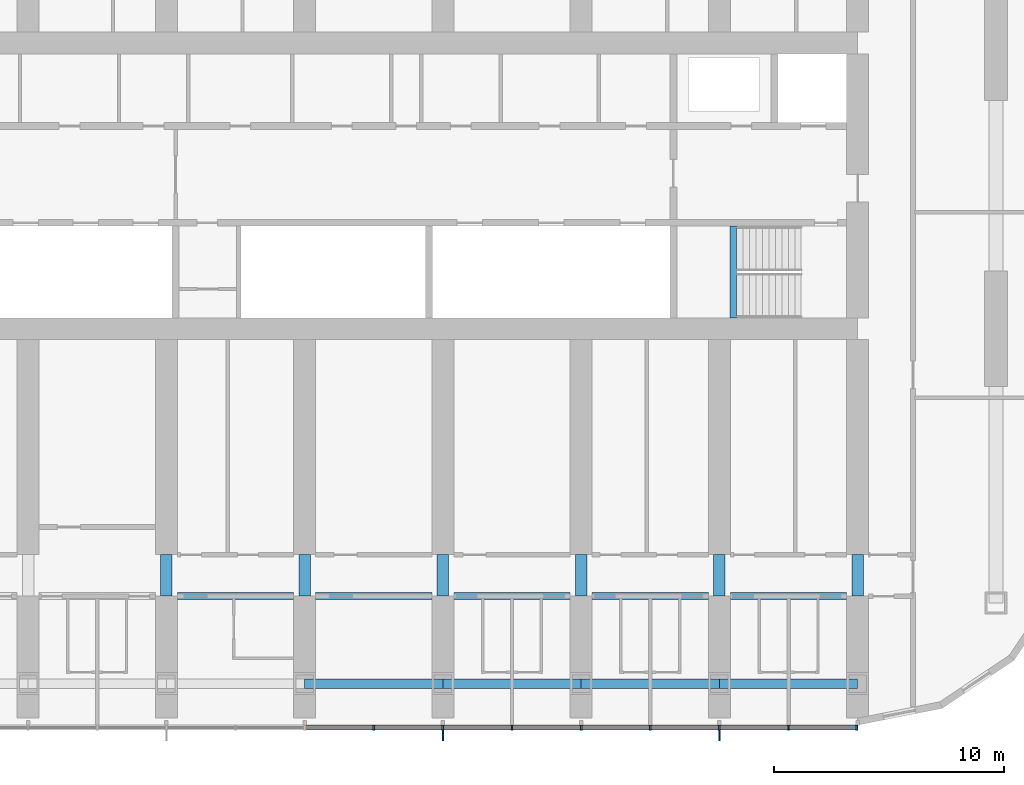
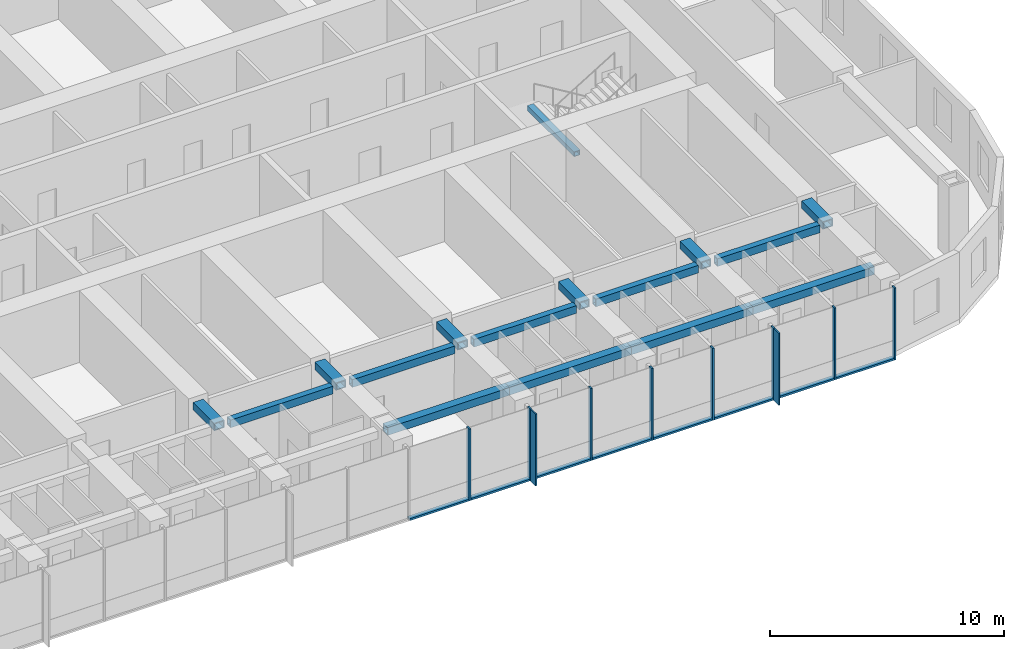
# One storey, part 3 of 22: 18 members, 16 beams, 1 element without a shape of its own.
"""IFC4 building model written with IfcOpenShell, lengths in metres."""

from ifc_helpers import new_model, si_unit, direction, frame, origin, origin_2d, place, context, subcontext, project, spatial, rectangle, hollow_rectangle, extrude, material, material_profile, profile_set, type_object, element, aggregate, save


model = new_model("IFC4")

# Units and contexts
model_context = context("Model", 3, precision=1e-05, world=origin(), true_north=direction((0.0, 1.0)))
body_context = subcontext(model_context, "Body", "Model", "MODEL_VIEW")
ifc_project = project(units=[si_unit("LENGTHUNIT", "METRE"), si_unit("AREAUNIT", "SQUARE_METRE"), si_unit("VOLUMEUNIT", "CUBIC_METRE"), si_unit("PLANEANGLEUNIT", "RADIAN"), si_unit("MASSUNIT", "GRAM", prefix="KILO")], contexts=[model_context])

# Site, building, storey
site_placement = place(None, origin())
site = spatial("IfcSite", under=ifc_project, at=site_placement, CompositionType="ELEMENT")
building_placement = place(site_placement, origin())
building = spatial("IfcBuilding", under=site, at=building_placement, Name="Orbita Commons", CompositionType="ELEMENT")
storey_placement = place(building_placement, frame((0.0, 0.0, 118.14990234375)))
storey = spatial("IfcBuildingStorey", under=building, at=storey_placement, Name="L29", CompositionType="ELEMENT", Elevation=118.14990234375)

# Curtain wall, members
ifc_material_1 = material(Name="Anodised aluminium frame, pale silver", Category="aluminium")
curtain_wall_type = type_object("IfcCurtainWallType", Name="Unitised curtain wall CW-T, vision and spandrel", PredefinedType="NOTDEFINED", material=ifc_material_1)
curtain_wall_placement = place(storey_placement, origin())
curtain_wall = element("IfcCurtainWall", 1, at=curtain_wall_placement, inside=storey, type_object=curtain_wall_type, Name="Curtain wall south L29", PredefinedType="NOTDEFINED")
ifc_material_2 = material(Name="Anodised aluminium, pale silver", Category="aluminium")
ifc_material_profile_1 = material_profile(ifc_material_2, rectangle(XDim=0.080078125, YDim=0.219970703125, at=origin_2d()), Name="AL 80x220")
ifc_profile_set_1 = profile_set([ifc_material_profile_1], Name="Anodised aluminium, pale silver")
member_type_1 = type_object("IfcMemberType", Name="Curtain wall mullion 80x220", PredefinedType="MULLION", material=ifc_profile_set_1)
member_1_placement = place(storey_placement, frame((45.0, 8.489990234375, -0.25), z_axis=(0.0, 0.0, 1.0), x_axis=(1.0, 0.0, 0.0)))
member_1 = element("IfcMember", 2, at=member_1_placement, type_object=member_type_1, Name="Mullion 12 CW-L29-S", PredefinedType="MULLION", context=body_context, shape_type="SweptSolid", body=[
    extrude(rectangle(XDim=0.080078125, YDim=0.219970703125, at=origin_2d()), origin(), (0.0, 0.0, 1.0), 3.75),
])
member_2_placement = place(storey_placement, frame((48.0, 8.489990234375, -0.25), z_axis=(0.0, 0.0, 1.0), x_axis=(1.0, 0.0, 0.0)))
member_2 = element("IfcMember", 3, at=member_2_placement, type_object=member_type_1, Name="Mullion 13 CW-L29-S", PredefinedType="MULLION", context=body_context, shape_type="SweptSolid", body=[
    extrude(rectangle(XDim=0.080078125, YDim=0.219970703125, at=origin_2d()), origin(), (0.0, 0.0, 1.0), 3.75),
])
member_3_placement = place(storey_placement, frame((51.0, 8.489990234375, -0.25), z_axis=(0.0, 0.0, 1.0), x_axis=(1.0, 0.0, 0.0)))
member_3 = element("IfcMember", 4, at=member_3_placement, type_object=member_type_1, Name="Mullion 14 CW-L29-S", PredefinedType="MULLION", context=body_context, shape_type="SweptSolid", body=[
    extrude(rectangle(XDim=0.080078125, YDim=0.219970703125, at=origin_2d()), origin(), (0.0, 0.0, 1.0), 3.75),
])
member_4_placement = place(storey_placement, frame((54.0, 8.489990234375, -0.25), z_axis=(0.0, 0.0, 1.0), x_axis=(1.0, 0.0, 0.0)))
member_4 = element("IfcMember", 5, at=member_4_placement, type_object=member_type_1, Name="Mullion 15 CW-L29-S", PredefinedType="MULLION", context=body_context, shape_type="SweptSolid", body=[
    extrude(rectangle(XDim=0.080078125, YDim=0.219970703125, at=origin_2d()), origin(), (0.0, 0.0, 1.0), 3.75),
])
member_5_placement = place(storey_placement, frame((57.0, 8.489990234375, -0.25), z_axis=(0.0, 0.0, 1.0), x_axis=(1.0, 0.0, 0.0)))
member_5 = element("IfcMember", 6, at=member_5_placement, type_object=member_type_1, Name="Mullion 16 CW-L29-S", PredefinedType="MULLION", context=body_context, shape_type="SweptSolid", body=[
    extrude(rectangle(XDim=0.080078125, YDim=0.219970703125, at=origin_2d()), origin(), (0.0, 0.0, 1.0), 3.75),
])
member_6_placement = place(storey_placement, frame((60.0, 8.489990234375, -0.25), z_axis=(0.0, 0.0, 1.0), x_axis=(1.0, 0.0, 0.0)))
member_6 = element("IfcMember", 7, at=member_6_placement, type_object=member_type_1, Name="Mullion 17 CW-L29-S", PredefinedType="MULLION", context=body_context, shape_type="SweptSolid", body=[
    extrude(rectangle(XDim=0.080078125, YDim=0.219970703125, at=origin_2d()), origin(), (0.0, 0.0, 1.0), 3.75),
])
member_7_placement = place(storey_placement, frame((63.0, 8.489990234375, -0.25), z_axis=(0.0, 0.0, 1.0), x_axis=(1.0, 0.0, 0.0)))
member_7 = element("IfcMember", 8, at=member_7_placement, type_object=member_type_1, Name="Mullion 18 CW-L29-S", PredefinedType="MULLION", context=body_context, shape_type="SweptSolid", body=[
    extrude(rectangle(XDim=0.080078125, YDim=0.219970703125, at=origin_2d()), origin(), (0.0, 0.0, 1.0), 3.75),
])
member_8_placement = place(storey_placement, frame((65.9599609375, 8.489990234375, -0.25), z_axis=(0.0, 0.0, 1.0), x_axis=(1.0, 0.0, 0.0)))
member_8 = element("IfcMember", 9, at=member_8_placement, type_object=member_type_1, Name="Mullion 19 CW-L29-S", PredefinedType="MULLION", context=body_context, shape_type="SweptSolid", body=[
    extrude(rectangle(XDim=0.080078125, YDim=0.219970703125, at=origin_2d()), origin(), (0.0, 0.0, 1.0), 3.75),
])
ifc_material_3 = material(Name="Anodised aluminium, pale silver", Category="aluminium")
ifc_material_profile_2 = material_profile(ifc_material_3, rectangle(XDim=0.219970703125, YDim=0.10009765625, at=origin_2d()), Name="AL 220x100")
ifc_profile_set_2 = profile_set([ifc_material_profile_2], Name="Anodised aluminium, pale silver")
member_type_2 = type_object("IfcMemberType", Name="Curtain wall stack transom 220x100", PredefinedType="USERDEFINED", material=ifc_profile_set_2)
member_9_placement = place(storey_placement, frame((42.0400390625, 8.489990234375, -0.199951171875), z_axis=(1.0, 0.0, 0.0), x_axis=(0.0, 1.0, 0.0)))
member_9 = element("IfcMember", 10, at=member_9_placement, type_object=member_type_2, Name="Transom 11.1 CW-L29-S", ObjectType="TRANSOM", PredefinedType="USERDEFINED", context=body_context, shape_type="SweptSolid", body=[
    extrude(rectangle(XDim=0.219970703125, YDim=0.10009765625, at=origin_2d()), origin(), (0.0, 0.0, 1.0), 2.919921875),
])
member_10_placement = place(storey_placement, frame((45.0400390625, 8.489990234375, -0.199951171875), z_axis=(1.0, 0.0, 0.0), x_axis=(0.0, 1.0, 0.0)))
member_10 = element("IfcMember", 11, at=member_10_placement, type_object=member_type_2, Name="Transom 12.1 CW-L29-S", ObjectType="TRANSOM", PredefinedType="USERDEFINED", context=body_context, shape_type="SweptSolid", body=[
    extrude(rectangle(XDim=0.219970703125, YDim=0.10009765625, at=origin_2d()), origin(), (0.0, 0.0, 1.0), 2.919921875),
])
member_11_placement = place(storey_placement, frame((48.0400390625, 8.489990234375, -0.199951171875), z_axis=(1.0, 0.0, 0.0), x_axis=(0.0, 1.0, 0.0)))
member_11 = element("IfcMember", 12, at=member_11_placement, type_object=member_type_2, Name="Transom 13.1 CW-L29-S", ObjectType="TRANSOM", PredefinedType="USERDEFINED", context=body_context, shape_type="SweptSolid", body=[
    extrude(rectangle(XDim=0.219970703125, YDim=0.10009765625, at=origin_2d()), origin(), (0.0, 0.0, 1.0), 2.919921875),
])
member_12_placement = place(storey_placement, frame((51.0400390625, 8.489990234375, -0.199951171875), z_axis=(1.0, 0.0, 0.0), x_axis=(0.0, 1.0, 0.0)))
member_12 = element("IfcMember", 13, at=member_12_placement, type_object=member_type_2, Name="Transom 14.1 CW-L29-S", ObjectType="TRANSOM", PredefinedType="USERDEFINED", context=body_context, shape_type="SweptSolid", body=[
    extrude(rectangle(XDim=0.219970703125, YDim=0.10009765625, at=origin_2d()), origin(), (0.0, 0.0, 1.0), 2.919921875),
])
member_13_placement = place(storey_placement, frame((54.0400390625, 8.489990234375, -0.199951171875), z_axis=(1.0, 0.0, 0.0), x_axis=(0.0, 1.0, 0.0)))
member_13 = element("IfcMember", 14, at=member_13_placement, type_object=member_type_2, Name="Transom 15.1 CW-L29-S", ObjectType="TRANSOM", PredefinedType="USERDEFINED", context=body_context, shape_type="SweptSolid", body=[
    extrude(rectangle(XDim=0.219970703125, YDim=0.10009765625, at=origin_2d()), origin(), (0.0, 0.0, 1.0), 2.919921875),
])
member_14_placement = place(storey_placement, frame((57.0400390625, 8.489990234375, -0.199951171875), z_axis=(1.0, 0.0, 0.0), x_axis=(0.0, 1.0, 0.0)))
member_14 = element("IfcMember", 15, at=member_14_placement, type_object=member_type_2, Name="Transom 16.1 CW-L29-S", ObjectType="TRANSOM", PredefinedType="USERDEFINED", context=body_context, shape_type="SweptSolid", body=[
    extrude(rectangle(XDim=0.219970703125, YDim=0.10009765625, at=origin_2d()), origin(), (0.0, 0.0, 1.0), 2.919921875),
])
member_15_placement = place(storey_placement, frame((60.0400390625, 8.489990234375, -0.199951171875), z_axis=(1.0, 0.0, 0.0), x_axis=(0.0, 1.0, 0.0)))
member_15 = element("IfcMember", 16, at=member_15_placement, type_object=member_type_2, Name="Transom 17.1 CW-L29-S", ObjectType="TRANSOM", PredefinedType="USERDEFINED", context=body_context, shape_type="SweptSolid", body=[
    extrude(rectangle(XDim=0.219970703125, YDim=0.10009765625, at=origin_2d()), origin(), (0.0, 0.0, 1.0), 2.919921875),
])
member_16_placement = place(storey_placement, frame((63.0400390625, 8.489990234375, -0.199951171875), z_axis=(1.0, 0.0, 0.0), x_axis=(0.0, 1.0, 0.0)))
member_16 = element("IfcMember", 17, at=member_16_placement, type_object=member_type_2, Name="Transom 18.1 CW-L29-S", ObjectType="TRANSOM", PredefinedType="USERDEFINED", context=body_context, shape_type="SweptSolid", body=[
    extrude(rectangle(XDim=0.219970703125, YDim=0.10009765625, at=origin_2d()), origin(), (0.0, 0.0, 1.0), 2.8798828125),
])

# Beams
ifc_material_4 = material(Name="Steel ASTM A572 Gr 50 welded plate", Category="steel")
ifc_material_profile_3 = material_profile(ifc_material_4, hollow_rectangle(XDim=0.300048828125, YDim=0.25, WallThickness=0.02490234375, at=origin_2d()), Name="BOX 250x300x25")
ifc_profile_set_3 = profile_set([ifc_material_profile_3], Name="Steel ASTM A572 Gr 50 welded plate")
beam_type_1 = type_object("IfcBeamType", Name="Stair landing beam steel BOX 250x300x25", PredefinedType="BEAM", material=ifc_profile_set_3)
beam_placement = place(storey_placement, frame((60.60009765625, 26.260009765625, 1.550048828125), z_axis=(0.0, 1.0, 0.0), x_axis=(-1.0, 0.0, 0.0)))
element("IfcBeam", 18, at=beam_placement, inside=storey, type_object=beam_type_1, Name="Stair S2 landing beam L29 1", PredefinedType="BEAM", context=body_context, shape_type="SweptSolid", body=[
    extrude(hollow_rectangle(XDim=0.300048828125, YDim=0.25, WallThickness=0.02490234375, at=origin_2d()), origin(), (0.0, 0.0, 1.0), 4.0048828125),
])
ifc_material_5 = material(Name="Steel ASTM A572 Gr 50 welded plate", Category="steel")
ifc_material_profile_4 = material_profile(ifc_material_5, hollow_rectangle(XDim=0.300048828125, YDim=0.39990234375, WallThickness=0.0400390625, at=origin_2d()), Name="BOX 400x300x40")
ifc_profile_set_4 = profile_set([ifc_material_profile_4], Name="Steel ASTM A572 Gr 50 welded plate")
beam_type_2 = type_object("IfcBeamType", Name="Steel corridor link BOX 400x300x40", PredefinedType="BEAM", material=ifc_profile_set_4)
for number, where, z_axis, x_axis, name in (
    (19, (36.47509765625, 14.199951171875, 3.300048828125), (1.0, 0.0, 0.0), (0.0, 1.0, 0.0), "Corridor beam SA 7-8 L29"),
    (20, (42.47509765625, 14.199951171875, 3.300048828125), (1.0, 0.0, 0.0), (0.0, 1.0, 0.0), "Corridor beam SA 8-9 L29"),
    (21, (48.47509765625, 14.199951171875, 3.300048828125), (1.0, 0.0, 0.0), (0.0, 1.0, 0.0), "Corridor beam SA 9-10 L29"),
    (22, (54.47509765625, 14.199951171875, 3.300048828125), (1.0, 0.0, 0.0), (0.0, 1.0, 0.0), "Corridor beam SA 10-11 L29"),
    (23, (60.47509765625, 14.199951171875, 3.300048828125), (1.0, 0.0, 0.0), (0.0, 1.0, 0.0), "Corridor beam SA 11-12 L29"),
):
    element("IfcBeam", number, at=place(storey_placement, frame(where, z_axis=z_axis, x_axis=x_axis)), inside=storey, type_object=beam_type_2, Name=name, PredefinedType="BEAM", context=body_context, shape_type="SweptSolid", body=[
        extrude(hollow_rectangle(XDim=0.300048828125, YDim=0.39990234375, WallThickness=0.0400390625, at=origin_2d()), origin(), (0.0, 0.0, 1.0), 5.0498046875),
    ])
ifc_material_6 = material(Name="Steel ASTM A572 Gr 50 welded plate", Category="steel")
ifc_material_profile_5 = material_profile(ifc_material_6, hollow_rectangle(XDim=0.5, YDim=0.39990234375, WallThickness=0.050048828125, at=origin_2d()), Name="BOX 400x500x50")
ifc_profile_set_5 = profile_set([ifc_material_profile_5], Name="Steel ASTM A572 Gr 50 welded plate")
beam_type_3 = type_object("IfcBeamType", Name="Steel coupling link BOX 400x500x50", PredefinedType="LINTEL", material=ifc_profile_set_5)
for number, where, z_axis, x_axis, name in (
    (24, (36.0, 14.199951171875, 3.300048828125), (0.0, 1.0, 0.0), (-1.0, 0.0, 0.0), "Coupling beam 7 south L29"),
    (25, (42.0, 14.199951171875, 3.300048828125), (0.0, 1.0, 0.0), (-1.0, 0.0, 0.0), "Coupling beam 8 south L29"),
    (26, (48.0, 14.199951171875, 3.300048828125), (0.0, 1.0, 0.0), (-1.0, 0.0, 0.0), "Coupling beam 9 south L29"),
    (27, (54.0, 14.199951171875, 3.300048828125), (0.0, 1.0, 0.0), (-1.0, 0.0, 0.0), "Coupling beam 10 south L29"),
    (28, (60.0, 14.199951171875, 3.300048828125), (0.0, 1.0, 0.0), (-1.0, 0.0, 0.0), "Coupling beam 11 south L29"),
    (29, (66.0, 14.199951171875, 3.300048828125), (0.0, 1.0, 0.0), (-1.0, 0.0, 0.0), "Coupling beam 12 south L29"),
):
    element("IfcBeam", number, at=place(storey_placement, frame(where, z_axis=z_axis, x_axis=x_axis)), inside=storey, type_object=beam_type_3, Name=name, PredefinedType="LINTEL", context=body_context, shape_type="SweptSolid", body=[
        extrude(hollow_rectangle(XDim=0.5, YDim=0.39990234375, WallThickness=0.050048828125, at=origin_2d()), origin(), (0.0, 0.0, 1.0), 1.800048828125),
    ])
ifc_material_7 = material(Name="Steel ASTM A572 Gr 50 welded plate", Category="steel")
ifc_material_profile_6 = material_profile(ifc_material_7, hollow_rectangle(XDim=0.39990234375, YDim=0.39990234375, WallThickness=0.0400390625, at=origin_2d()), Name="BOX 400x400x40")
ifc_profile_set_6 = profile_set([ifc_material_profile_6], Name="Steel ASTM A572 Gr 50 welded plate")
beam_type_4 = type_object("IfcBeamType", Name="Steel spandrel BOX 400x400x40", PredefinedType="SPANDREL", material=ifc_profile_set_6)
for number, where, z_axis, x_axis, name in (
    (30, (42.0, 10.39990234375, 3.300048828125), (1.0, 0.0, 0.0), (0.0, 1.0, 0.0), "Spandrel beam B 8-9 L29"),
    (31, (48.0, 10.39990234375, 3.300048828125), (1.0, 0.0, 0.0), (0.0, 1.0, 0.0), "Spandrel beam B 9-10 L29"),
    (32, (54.0, 10.39990234375, 3.300048828125), (1.0, 0.0, 0.0), (0.0, 1.0, 0.0), "Spandrel beam B 10-11 L29"),
    (33, (60.0, 10.39990234375, 3.300048828125), (1.0, 0.0, 0.0), (0.0, 1.0, 0.0), "Spandrel beam B 11-12 L29"),
):
    element("IfcBeam", number, at=place(storey_placement, frame(where, z_axis=z_axis, x_axis=x_axis)), inside=storey, type_object=beam_type_4, Name=name, PredefinedType="SPANDREL", context=body_context, shape_type="SweptSolid", body=[
        extrude(hollow_rectangle(XDim=0.39990234375, YDim=0.39990234375, WallThickness=0.0400390625, at=origin_2d()), origin(), (0.0, 0.0, 1.0), 6.0),
    ])

# Member
ifc_material_8 = material(Name="Anodised aluminium, pale silver", Category="aluminium")
ifc_material_profile_7 = material_profile(ifc_material_8, rectangle(XDim=0.06005859375, YDim=0.449951171875, at=origin_2d()), Name="FIN 60x450")
ifc_profile_set_7 = profile_set([ifc_material_profile_7], Name="Anodised aluminium, pale silver")
member_type_3 = type_object("IfcMemberType", Name="Vertical fin 60x450 pale aluminium", PredefinedType="USERDEFINED", material=ifc_profile_set_7)
member_17_placement = place(storey_placement, frame((48.0, 8.155029296875, -0.25), z_axis=(0.0, 0.0, 1.0), x_axis=(1.0, 0.0, 0.0)))
member_17 = element("IfcMember", 34, at=member_17_placement, type_object=member_type_3, Name="Fin 13 CW-L29-S", ObjectType="FIN", PredefinedType="USERDEFINED", context=body_context, shape_type="SweptSolid", body=[
    extrude(rectangle(XDim=0.06005859375, YDim=0.449951171875, at=origin_2d()), origin(), (0.0, 0.0, 1.0), 3.75),
])

member_18_placement = place(storey_placement, frame((60.0, 8.155029296875, -0.25), z_axis=(0.0, 0.0, 1.0), x_axis=(1.0, 0.0, 0.0)))
member_18 = element("IfcMember", 35, at=member_18_placement, type_object=member_type_3, Name="Fin 17 CW-L29-S", ObjectType="FIN", PredefinedType="USERDEFINED", context=body_context, shape_type="SweptSolid", body=[
    extrude(rectangle(XDim=0.06005859375, YDim=0.449951171875, at=origin_2d()), origin(), (0.0, 0.0, 1.0), 3.75),
])

aggregate(curtain_wall, [member_1, member_2, member_17, member_3, member_4, member_5, member_6, member_18, member_7, member_8, member_9, member_10, member_11, member_12, member_13, member_14, member_15, member_16])

save(model, "model.ifc")
